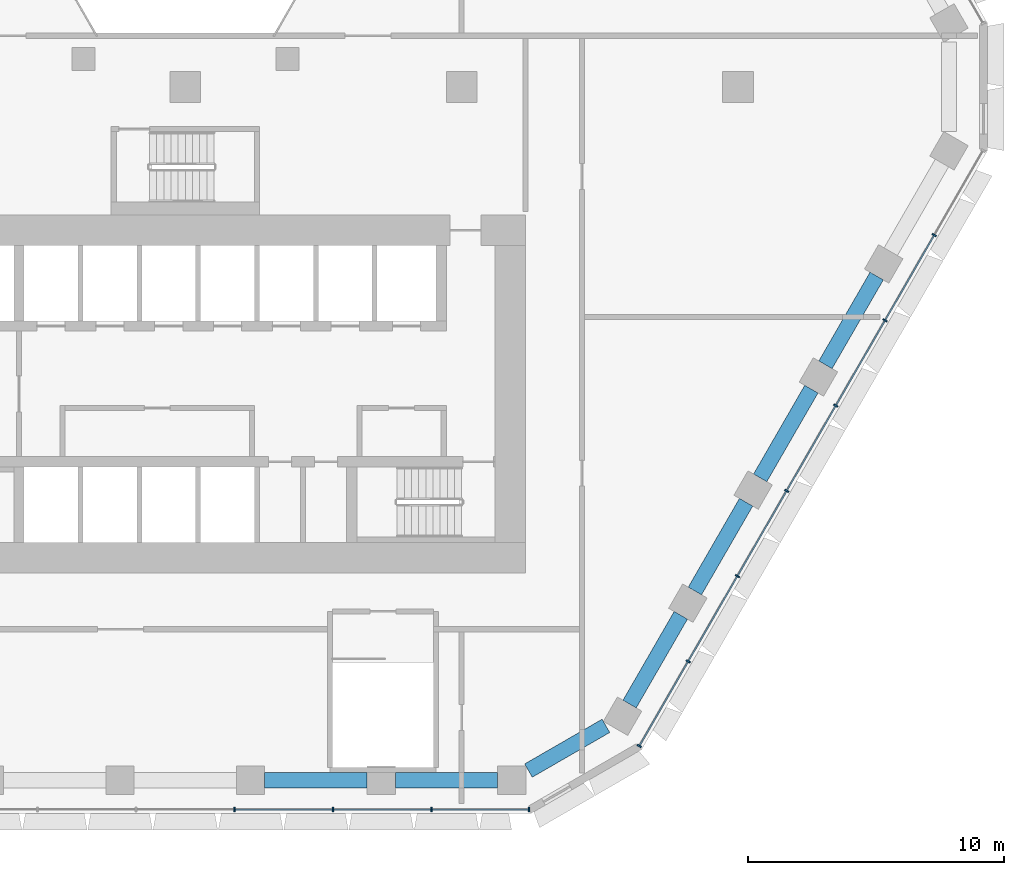
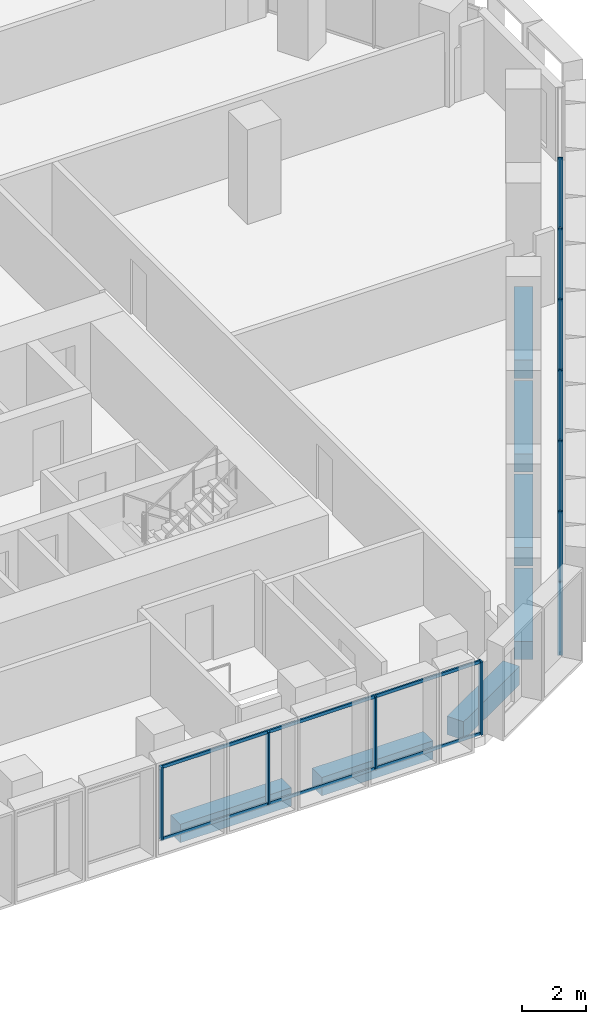
# One storey, part 4 of 21: 29 members, 7 beams, 2 elements without a shape of their own.
"""IFC4 building model written with IfcOpenShell, lengths in metres."""

from ifc_helpers import new_model, si_unit, direction, frame, origin, origin_2d, place, context, subcontext, project, spatial, rectangle, hollow_rectangle, extrude, material, material_profile, profile_set, type_object, element, aggregate, save


model = new_model("IFC4")

# Units and contexts
model_context = context("Model", 3, precision=1e-05, world=origin(), true_north=direction((0.0, 1.0)))
body_context = subcontext(model_context, "Body", "Model", "MODEL_VIEW")
ifc_project = project(units=[si_unit("LENGTHUNIT", "METRE"), si_unit("AREAUNIT", "SQUARE_METRE"), si_unit("VOLUMEUNIT", "CUBIC_METRE"), si_unit("PLANEANGLEUNIT", "RADIAN"), si_unit("MASSUNIT", "GRAM", prefix="KILO")], contexts=[model_context])

# Site, building, storey
site_placement = place(None, origin())
site = spatial("IfcSite", under=ifc_project, at=site_placement, CompositionType="ELEMENT")
building_placement = place(site_placement, origin())
building = spatial("IfcBuilding", under=site, at=building_placement, Name="Beryl Residences", CompositionType="ELEMENT")
storey_placement = place(building_placement, frame((0.0, 0.0, 19.800048828125)))
storey = spatial("IfcBuildingStorey", under=building, at=storey_placement, Name="L05", CompositionType="ELEMENT", Elevation=19.800048828125)

# Curtain wall, members
ifc_material_1 = material(Name="Aluminium and clear glass", Category="aluminium")
curtain_wall_type = type_object("IfcCurtainWallType", Name="CW2 amenity glazing glazed wall", PredefinedType="NOTDEFINED", material=ifc_material_1)
curtain_wall_1_placement = place(storey_placement, origin())
curtain_wall_1 = element("IfcCurtainWall", 1, at=curtain_wall_1_placement, inside=storey, type_object=curtain_wall_type, Name="CW2 L05 S", PredefinedType="NOTDEFINED")
ifc_material_2 = material(Name="Aluminium", Category="aluminium")
ifc_material_profile_1 = material_profile(ifc_material_2, rectangle(XDim=0.06005859375, YDim=0.179931640625, at=origin_2d()))
ifc_profile_set_1 = profile_set([ifc_material_profile_1], Name="Aluminium")
member_type_1 = type_object("IfcMemberType", Name="CW2-M mullion 60 x 180 mm", PredefinedType="MULLION", material=ifc_profile_set_1)
member_1_placement = place(storey_placement, frame((1.92431640625, -28.25, 0.0), z_axis=(0.0, 0.0, 1.0), x_axis=(1.0, 0.0, 0.0)))
member_1 = element("IfcMember", 2, at=member_1_placement, type_object=member_type_1, Name="CW2 mullion 5", PredefinedType="MULLION", context=body_context, shape_type="SweptSolid", body=[
    extrude(rectangle(XDim=0.06005859375, YDim=0.179931640625, at=origin_2d()), origin(), (0.0, 0.0, 1.0), 2.800048828125),
])
member_2_placement = place(storey_placement, frame((5.77294921875, -28.25, 0.0), z_axis=(0.0, 0.0, 1.0), x_axis=(1.0, 0.0, 0.0)))
member_2 = element("IfcMember", 3, at=member_2_placement, type_object=member_type_1, Name="CW2 mullion 6", PredefinedType="MULLION", context=body_context, shape_type="SweptSolid", body=[
    extrude(rectangle(XDim=0.06005859375, YDim=0.179931640625, at=origin_2d()), origin(), (0.0, 0.0, 1.0), 2.800048828125),
])
member_3_placement = place(storey_placement, frame((9.621337890625, -28.25, 0.0), z_axis=(0.0, 0.0, 1.0), x_axis=(1.0, 0.0, 0.0)))
member_3 = element("IfcMember", 4, at=member_3_placement, type_object=member_type_1, Name="CW2 mullion 7", PredefinedType="MULLION", context=body_context, shape_type="SweptSolid", body=[
    extrude(rectangle(XDim=0.06005859375, YDim=0.179931640625, at=origin_2d()), origin(), (0.0, 0.0, 1.0), 2.800048828125),
])
member_4_placement = place(storey_placement, frame((13.43994140625, -28.25, 0.0), z_axis=(0.0, 0.0, 1.0), x_axis=(1.0, 0.0, 0.0)))
member_4 = element("IfcMember", 5, at=member_4_placement, type_object=member_type_1, Name="CW2 mullion 8", PredefinedType="MULLION", context=body_context, shape_type="SweptSolid", body=[
    extrude(rectangle(XDim=0.06005859375, YDim=0.179931640625, at=origin_2d()), origin(), (0.0, 0.0, 1.0), 2.800048828125),
])

curtain_wall_2_placement = place(storey_placement, origin())
curtain_wall_2 = element("IfcCurtainWall", 6, at=curtain_wall_2_placement, inside=storey, type_object=curtain_wall_type, Name="CW2 L05 SE", PredefinedType="NOTDEFINED")
member_5_placement = place(storey_placement, frame((17.7451171875, -25.763916015625, 0.0), z_axis=(0.0, 0.0, 1.0), x_axis=(0.500011643322, 0.866018681405, 0.0)))
member_5 = element("IfcMember", 7, at=member_5_placement, type_object=member_type_1, Name="CW2 mullion 1", PredefinedType="MULLION", context=body_context, shape_type="SweptSolid", body=[
    extrude(rectangle(XDim=0.06005859375, YDim=0.179931640625, at=origin_2d()), origin(), (0.0, 0.0, 1.0), 2.800048828125),
])
member_6_placement = place(storey_placement, frame((19.654296875, -22.45703125, 0.0), z_axis=(0.0, 0.0, 1.0), x_axis=(0.500011643322, 0.866018681405, 0.0)))
member_6 = element("IfcMember", 8, at=member_6_placement, type_object=member_type_1, Name="CW2 mullion 2", PredefinedType="MULLION", context=body_context, shape_type="SweptSolid", body=[
    extrude(rectangle(XDim=0.06005859375, YDim=0.179931640625, at=origin_2d()), origin(), (0.0, 0.0, 1.0), 2.800048828125),
])
member_7_placement = place(storey_placement, frame((21.57861328125, -19.124267578125, 0.0), z_axis=(0.0, 0.0, 1.0), x_axis=(0.500011643322, 0.866018681405, 0.0)))
member_7 = element("IfcMember", 9, at=member_7_placement, type_object=member_type_1, Name="CW2 mullion 3", PredefinedType="MULLION", context=body_context, shape_type="SweptSolid", body=[
    extrude(rectangle(XDim=0.06005859375, YDim=0.179931640625, at=origin_2d()), origin(), (0.0, 0.0, 1.0), 2.800048828125),
])
member_8_placement = place(storey_placement, frame((23.5029296875, -15.79150390625, 0.0), z_axis=(0.0, 0.0, 1.0), x_axis=(0.500011643322, 0.866018681405, 0.0)))
member_8 = element("IfcMember", 10, at=member_8_placement, type_object=member_type_1, Name="CW2 mullion 4", PredefinedType="MULLION", context=body_context, shape_type="SweptSolid", body=[
    extrude(rectangle(XDim=0.06005859375, YDim=0.179931640625, at=origin_2d()), origin(), (0.0, 0.0, 1.0), 2.800048828125),
])
member_9_placement = place(storey_placement, frame((25.42724609375, -12.45849609375, 0.0), z_axis=(0.0, 0.0, 1.0), x_axis=(0.500011643322, 0.866018681405, 0.0)))
member_9 = element("IfcMember", 11, at=member_9_placement, type_object=member_type_1, Name="CW2 mullion 5", PredefinedType="MULLION", context=body_context, shape_type="SweptSolid", body=[
    extrude(rectangle(XDim=0.06005859375, YDim=0.179931640625, at=origin_2d()), origin(), (0.0, 0.0, 1.0), 2.800048828125),
])
member_10_placement = place(storey_placement, frame((27.351318359375, -9.125732421875, 0.0), z_axis=(0.0, 0.0, 1.0), x_axis=(0.500011643322, 0.866018681405, 0.0)))
member_10 = element("IfcMember", 12, at=member_10_placement, type_object=member_type_1, Name="CW2 mullion 6", PredefinedType="MULLION", context=body_context, shape_type="SweptSolid", body=[
    extrude(rectangle(XDim=0.06005859375, YDim=0.179931640625, at=origin_2d()), origin(), (0.0, 0.0, 1.0), 2.800048828125),
])
member_11_placement = place(storey_placement, frame((29.275634765625, -5.79296875, 0.0), z_axis=(0.0, 0.0, 1.0), x_axis=(0.500011643322, 0.866018681405, 0.0)))
member_11 = element("IfcMember", 13, at=member_11_placement, type_object=member_type_1, Name="CW2 mullion 7", PredefinedType="MULLION", context=body_context, shape_type="SweptSolid", body=[
    extrude(rectangle(XDim=0.06005859375, YDim=0.179931640625, at=origin_2d()), origin(), (0.0, 0.0, 1.0), 2.800048828125),
])

# Member
ifc_material_3 = material(Name="Aluminium", Category="aluminium")
ifc_material_profile_2 = material_profile(ifc_material_3, hollow_rectangle(XDim=0.06005859375, YDim=0.1201171875, WallThickness=0.00390625, at=origin_2d()))
ifc_profile_set_2 = profile_set([ifc_material_profile_2], Name="Aluminium")
member_type_2 = type_object("IfcMemberType", Name="CW2-T transom 60 x 120 mm", PredefinedType="USERDEFINED", material=ifc_profile_set_2)
member_12_placement = place(storey_placement, frame((1.954345703125, -28.25, 0.030029296875), z_axis=(1.0, 0.0, 0.0), x_axis=(0.0, 1.0, 0.0)))
member_12 = element("IfcMember", 14, at=member_12_placement, type_object=member_type_2, Name="CW2 transom 5.1", ObjectType="TRANSOM", PredefinedType="USERDEFINED", context=body_context, shape_type="SweptSolid", body=[
    extrude(hollow_rectangle(XDim=0.06005859375, YDim=0.1201171875, WallThickness=0.00390625, at=origin_2d()), origin(), (0.0, 0.0, 1.0), 3.78857421875),
])

member_13_placement = place(storey_placement, frame((1.954345703125, -28.25, 2.77001953125), z_axis=(1.0, 0.0, 0.0), x_axis=(0.0, 1.0, 0.0)))
member_13 = element("IfcMember", 15, at=member_13_placement, type_object=member_type_2, Name="CW2 transom 5.2", ObjectType="TRANSOM", PredefinedType="USERDEFINED", context=body_context, shape_type="SweptSolid", body=[
    extrude(hollow_rectangle(XDim=0.06005859375, YDim=0.1201171875, WallThickness=0.00390625, at=origin_2d()), origin(), (0.0, 0.0, 1.0), 3.78857421875),
])

member_14_placement = place(storey_placement, frame((5.802978515625, -28.25, 0.030029296875), z_axis=(1.0, 0.0, 0.0), x_axis=(0.0, 1.0, 0.0)))
member_14 = element("IfcMember", 16, at=member_14_placement, type_object=member_type_2, Name="CW2 transom 6.1", ObjectType="TRANSOM", PredefinedType="USERDEFINED", context=body_context, shape_type="SweptSolid", body=[
    extrude(hollow_rectangle(XDim=0.06005859375, YDim=0.1201171875, WallThickness=0.00390625, at=origin_2d()), origin(), (0.0, 0.0, 1.0), 3.788330078125),
])

member_15_placement = place(storey_placement, frame((5.802978515625, -28.25, 2.77001953125), z_axis=(1.0, 0.0, 0.0), x_axis=(0.0, 1.0, 0.0)))
member_15 = element("IfcMember", 17, at=member_15_placement, type_object=member_type_2, Name="CW2 transom 6.2", ObjectType="TRANSOM", PredefinedType="USERDEFINED", context=body_context, shape_type="SweptSolid", body=[
    extrude(hollow_rectangle(XDim=0.06005859375, YDim=0.1201171875, WallThickness=0.00390625, at=origin_2d()), origin(), (0.0, 0.0, 1.0), 3.788330078125),
])

member_16_placement = place(storey_placement, frame((9.6513671875, -28.25, 0.030029296875), z_axis=(1.0, 0.0, 0.0), x_axis=(0.0, 1.0, 0.0)))
member_16 = element("IfcMember", 18, at=member_16_placement, type_object=member_type_2, Name="CW2 transom 7.1", ObjectType="TRANSOM", PredefinedType="USERDEFINED", context=body_context, shape_type="SweptSolid", body=[
    extrude(hollow_rectangle(XDim=0.06005859375, YDim=0.1201171875, WallThickness=0.00390625, at=origin_2d()), origin(), (0.0, 0.0, 1.0), 3.758544921875),
])

member_17_placement = place(storey_placement, frame((9.6513671875, -28.25, 2.77001953125), z_axis=(1.0, 0.0, 0.0), x_axis=(0.0, 1.0, 0.0)))
member_17 = element("IfcMember", 19, at=member_17_placement, type_object=member_type_2, Name="CW2 transom 7.2", ObjectType="TRANSOM", PredefinedType="USERDEFINED", context=body_context, shape_type="SweptSolid", body=[
    extrude(hollow_rectangle(XDim=0.06005859375, YDim=0.1201171875, WallThickness=0.00390625, at=origin_2d()), origin(), (0.0, 0.0, 1.0), 3.758544921875),
])

aggregate(curtain_wall_1, [member_1, member_2, member_3, member_4, member_12, member_13, member_14, member_15, member_16, member_17])

member_18_placement = place(storey_placement, frame((17.760009765625, -25.738037109375, 0.030029296875), z_axis=(0.500037327496, 0.866003851672, 0.0), x_axis=(-0.866003851672, 0.500037327496, 0.0)))
member_18 = element("IfcMember", 20, at=member_18_placement, type_object=member_type_2, Name="CW2 transom 1.1", ObjectType="TRANSOM", PredefinedType="USERDEFINED", context=body_context, shape_type="SweptSolid", body=[
    extrude(hollow_rectangle(XDim=0.06005859375, YDim=0.1201171875, WallThickness=0.00390625, at=origin_2d()), origin(), (0.0, 0.0, 1.0), 3.758544921875),
])

member_19_placement = place(storey_placement, frame((17.760009765625, -25.738037109375, 2.77001953125), z_axis=(0.500037327496, 0.866003851672, 0.0), x_axis=(-0.866003851672, 0.500037327496, 0.0)))
member_19 = element("IfcMember", 21, at=member_19_placement, type_object=member_type_2, Name="CW2 transom 1.2", ObjectType="TRANSOM", PredefinedType="USERDEFINED", context=body_context, shape_type="SweptSolid", body=[
    extrude(hollow_rectangle(XDim=0.06005859375, YDim=0.1201171875, WallThickness=0.00390625, at=origin_2d()), origin(), (0.0, 0.0, 1.0), 3.758544921875),
])

member_20_placement = place(storey_placement, frame((19.669189453125, -22.43115234375, 0.030029296875), z_axis=(0.499999503755, 0.866025690291, 0.0), x_axis=(-0.866025690291, 0.499999503755, 0.0)))
member_20 = element("IfcMember", 22, at=member_20_placement, type_object=member_type_2, Name="CW2 transom 2.1", ObjectType="TRANSOM", PredefinedType="USERDEFINED", context=body_context, shape_type="SweptSolid", body=[
    extrude(hollow_rectangle(XDim=0.06005859375, YDim=0.1201171875, WallThickness=0.00390625, at=origin_2d()), origin(), (0.0, 0.0, 1.0), 3.78857421875),
])

member_21_placement = place(storey_placement, frame((19.669189453125, -22.43115234375, 2.77001953125), z_axis=(0.499999503755, 0.866025690291, 0.0), x_axis=(-0.866025690291, 0.499999503755, 0.0)))
member_21 = element("IfcMember", 23, at=member_21_placement, type_object=member_type_2, Name="CW2 transom 2.2", ObjectType="TRANSOM", PredefinedType="USERDEFINED", context=body_context, shape_type="SweptSolid", body=[
    extrude(hollow_rectangle(XDim=0.06005859375, YDim=0.1201171875, WallThickness=0.00390625, at=origin_2d()), origin(), (0.0, 0.0, 1.0), 3.78857421875),
])

member_22_placement = place(storey_placement, frame((21.593505859375, -19.098388671875, 0.030029296875), z_axis=(0.499999503755, 0.866025690291, 0.0), x_axis=(-0.866025690291, 0.499999503755, 0.0)))
member_22 = element("IfcMember", 24, at=member_22_placement, type_object=member_type_2, Name="CW2 transom 3.1", ObjectType="TRANSOM", PredefinedType="USERDEFINED", context=body_context, shape_type="SweptSolid", body=[
    extrude(hollow_rectangle(XDim=0.06005859375, YDim=0.1201171875, WallThickness=0.00390625, at=origin_2d()), origin(), (0.0, 0.0, 1.0), 3.78857421875),
])

member_23_placement = place(storey_placement, frame((21.593505859375, -19.098388671875, 2.77001953125), z_axis=(0.499999503755, 0.866025690291, 0.0), x_axis=(-0.866025690291, 0.499999503755, 0.0)))
member_23 = element("IfcMember", 25, at=member_23_placement, type_object=member_type_2, Name="CW2 transom 3.2", ObjectType="TRANSOM", PredefinedType="USERDEFINED", context=body_context, shape_type="SweptSolid", body=[
    extrude(hollow_rectangle(XDim=0.06005859375, YDim=0.1201171875, WallThickness=0.00390625, at=origin_2d()), origin(), (0.0, 0.0, 1.0), 3.78857421875),
])

member_24_placement = place(storey_placement, frame((23.517822265625, -15.765380859375, 0.030029296875), z_axis=(0.500027408906, 0.866009578667, 0.0), x_axis=(-0.866009578667, 0.500027408906, 0.0)))
member_24 = element("IfcMember", 26, at=member_24_placement, type_object=member_type_2, Name="CW2 transom 4.1", ObjectType="TRANSOM", PredefinedType="USERDEFINED", context=body_context, shape_type="SweptSolid", body=[
    extrude(hollow_rectangle(XDim=0.06005859375, YDim=0.1201171875, WallThickness=0.00390625, at=origin_2d()), origin(), (0.0, 0.0, 1.0), 3.788330078125),
])

member_25_placement = place(storey_placement, frame((23.517822265625, -15.765380859375, 2.77001953125), z_axis=(0.500027408906, 0.866009578667, 0.0), x_axis=(-0.866009578667, 0.500027408906, 0.0)))
member_25 = element("IfcMember", 27, at=member_25_placement, type_object=member_type_2, Name="CW2 transom 4.2", ObjectType="TRANSOM", PredefinedType="USERDEFINED", context=body_context, shape_type="SweptSolid", body=[
    extrude(hollow_rectangle(XDim=0.06005859375, YDim=0.1201171875, WallThickness=0.00390625, at=origin_2d()), origin(), (0.0, 0.0, 1.0), 3.788330078125),
])

member_26_placement = place(storey_placement, frame((25.442138671875, -12.4326171875, 0.030029296875), z_axis=(0.499999503755, 0.866025690291, 0.0), x_axis=(-0.866025690291, 0.499999503755, 0.0)))
member_26 = element("IfcMember", 28, at=member_26_placement, type_object=member_type_2, Name="CW2 transom 5.1", ObjectType="TRANSOM", PredefinedType="USERDEFINED", context=body_context, shape_type="SweptSolid", body=[
    extrude(hollow_rectangle(XDim=0.06005859375, YDim=0.1201171875, WallThickness=0.00390625, at=origin_2d()), origin(), (0.0, 0.0, 1.0), 3.78857421875),
])

member_27_placement = place(storey_placement, frame((25.442138671875, -12.4326171875, 2.77001953125), z_axis=(0.499999503755, 0.866025690291, 0.0), x_axis=(-0.866025690291, 0.499999503755, 0.0)))
member_27 = element("IfcMember", 29, at=member_27_placement, type_object=member_type_2, Name="CW2 transom 5.2", ObjectType="TRANSOM", PredefinedType="USERDEFINED", context=body_context, shape_type="SweptSolid", body=[
    extrude(hollow_rectangle(XDim=0.06005859375, YDim=0.1201171875, WallThickness=0.00390625, at=origin_2d()), origin(), (0.0, 0.0, 1.0), 3.78857421875),
])

member_28_placement = place(storey_placement, frame((27.366455078125, -9.099853515625, 0.030029296875), z_axis=(0.499999503755, 0.866025690291, 0.0), x_axis=(-0.866025690291, 0.499999503755, 0.0)))
member_28 = element("IfcMember", 30, at=member_28_placement, type_object=member_type_2, Name="CW2 transom 6.1", ObjectType="TRANSOM", PredefinedType="USERDEFINED", context=body_context, shape_type="SweptSolid", body=[
    extrude(hollow_rectangle(XDim=0.06005859375, YDim=0.1201171875, WallThickness=0.00390625, at=origin_2d()), origin(), (0.0, 0.0, 1.0), 3.78857421875),
])

member_29_placement = place(storey_placement, frame((27.366455078125, -9.099853515625, 2.77001953125), z_axis=(0.499999503755, 0.866025690291, 0.0), x_axis=(-0.866025690291, 0.499999503755, 0.0)))
member_29 = element("IfcMember", 31, at=member_29_placement, type_object=member_type_2, Name="CW2 transom 6.2", ObjectType="TRANSOM", PredefinedType="USERDEFINED", context=body_context, shape_type="SweptSolid", body=[
    extrude(hollow_rectangle(XDim=0.06005859375, YDim=0.1201171875, WallThickness=0.00390625, at=origin_2d()), origin(), (0.0, 0.0, 1.0), 3.78857421875),
])

aggregate(curtain_wall_2, [member_5, member_6, member_7, member_8, member_9, member_10, member_11, member_18, member_19, member_20, member_21, member_22, member_23, member_24, member_25, member_26, member_27, member_28, member_29])

# Beams
ifc_material_4 = material(Name="Concrete C80/95", Category="concrete")
ifc_material_profile_3 = material_profile(ifc_material_4, rectangle(XDim=0.60009765625, YDim=0.699951171875, at=origin_2d()))
ifc_profile_set_3 = profile_set([ifc_material_profile_3], Name="Concrete C80/95")
beam_type = type_object("IfcBeamType", Name="SB1 spandrel beam 600 x 700 C80/95", PredefinedType="SPANDREL", material=ifc_profile_set_3)
for number, where, z_axis, x_axis, name in (
    (32, (3.10302734375, -27.10009765625, -0.699951171875), (1.0, 0.0, 0.0), (0.0, 1.0, 0.0), "SB1 L05 S-3"),
    (33, (8.20703125, -27.10009765625, -0.699951171875), (1.0, 0.0, 0.0), (0.0, 1.0, 0.0), "SB1 L05 S-4"),
):
    element("IfcBeam", number, at=place(storey_placement, frame(where, z_axis=z_axis, x_axis=x_axis)), inside=storey, type_object=beam_type, Name=name, PredefinedType="SPANDREL", context=body_context, shape_type="SweptSolid", body=[
        extrude(rectangle(XDim=0.60009765625, YDim=0.699951171875, at=origin_2d()), origin(), (0.0, 0.0, 1.0), 4.00390625),
    ])
beam_1_placement = place(storey_placement, frame((13.410888671875, -26.72412109375, -0.699951171875), z_axis=(0.866121658299, 0.499833245218, 0.0), x_axis=(-0.499833245218, 0.866121658299, 0.0)))
element("IfcBeam", 34, at=beam_1_placement, inside=storey, type_object=beam_type, Name="SB1 L05 S-5", PredefinedType="SPANDREL", context=body_context, shape_type="SweptSolid", body=[
    extrude(rectangle(XDim=0.60009765625, YDim=0.699951171875, at=origin_2d()), origin(), (0.0, 0.0, 1.0), 3.497314453125),
])
beam_2_placement = place(storey_placement, frame((17.364990234375, -24.1240234375, -0.699951171875), z_axis=(0.499942357345, 0.866058681229, 0.0), x_axis=(-0.866058681229, 0.499942357345, 0.0)))
element("IfcBeam", 35, at=beam_2_placement, inside=storey, type_object=beam_type, Name="SB1 L05 SE-0", PredefinedType="SPANDREL", context=body_context, shape_type="SweptSolid", body=[
    extrude(rectangle(XDim=0.60009765625, YDim=0.699951171875, at=origin_2d()), origin(), (0.0, 0.0, 1.0), 4.00439453125),
])
beam_3_placement = place(storey_placement, frame((19.9169921875, -19.7041015625, -0.699951171875), z_axis=(0.499836783367, 0.866119616446, 0.0), x_axis=(-0.866119616446, 0.499836783367, 0.0)))
element("IfcBeam", 36, at=beam_3_placement, inside=storey, type_object=beam_type, Name="SB1 L05 SE-1", PredefinedType="SPANDREL", context=body_context, shape_type="SweptSolid", body=[
    extrude(rectangle(XDim=0.60009765625, YDim=0.699951171875, at=origin_2d()), origin(), (0.0, 0.0, 1.0), 4.005126953125),
])
for number, where, z_axis, x_axis, name in (
    (37, (22.468994140625, -15.282958984375, -0.699951171875), (0.499942357345, 0.866058681229, 0.0), (-0.866058681229, 0.499942357345, 0.0), "SB1 L05 SE-2"),
    (38, (25.02099609375, -10.863037109375, -0.699951171875), (0.499942357345, 0.866058681229, 0.0), (-0.866058681229, 0.499942357345, 0.0), "SB1 L05 SE-3"),
):
    element("IfcBeam", number, at=place(storey_placement, frame(where, z_axis=z_axis, x_axis=x_axis)), inside=storey, type_object=beam_type, Name=name, PredefinedType="SPANDREL", context=body_context, shape_type="SweptSolid", body=[
        extrude(rectangle(XDim=0.60009765625, YDim=0.699951171875, at=origin_2d()), origin(), (0.0, 0.0, 1.0), 4.00439453125),
    ])

save(model, "model.ifc")
